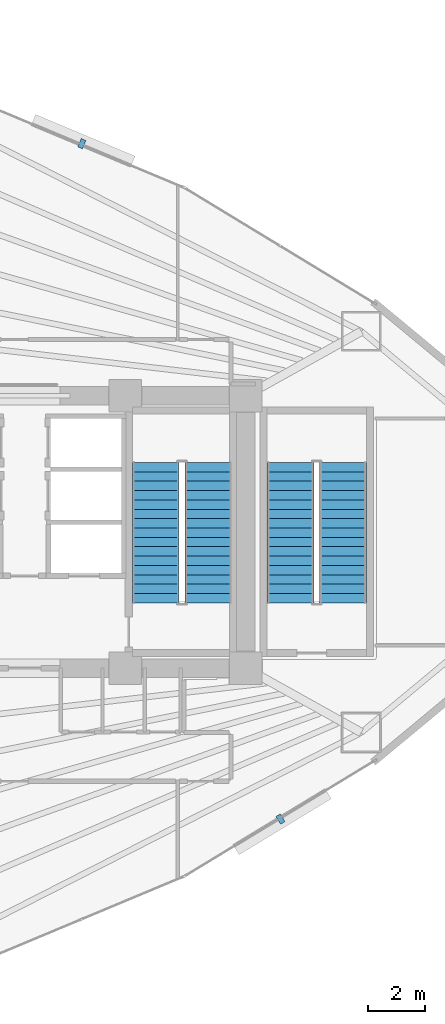
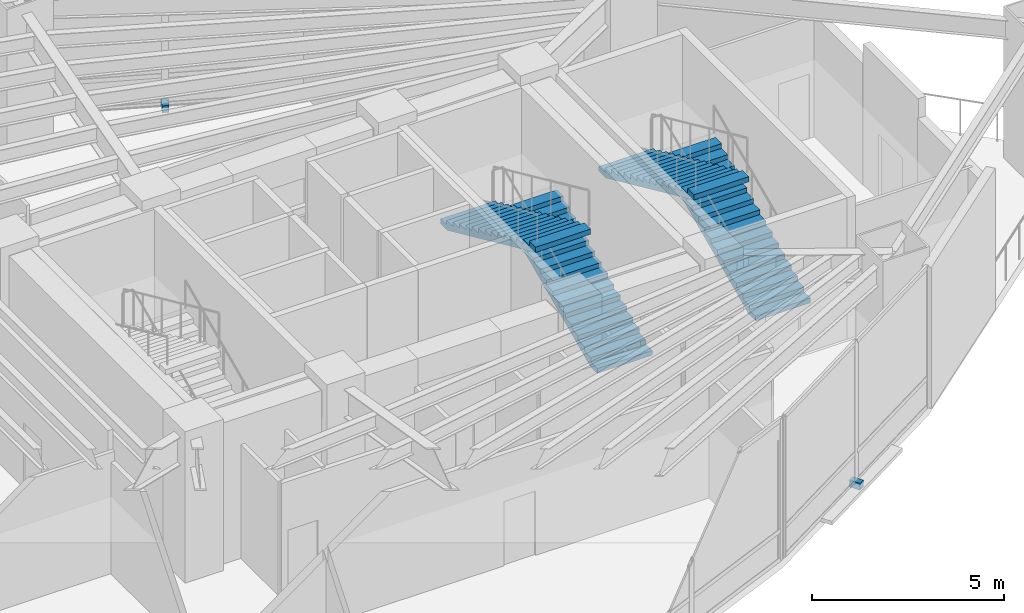
# One storey, part 16 of 18: 4 stair flights, 2 discrete accessories, 2 elements without a shape of their own.
"""IFC4 building model written with IfcOpenShell, lengths in metres."""

import ifcopenshell
import ifcopenshell.guid

model = None  # the IFC model being written
_history = None  # IfcOwnerHistory: only IFC2X3 demands one
_inside = {}  # id of a spatial element -> (the spatial element, [elements in it])
_under = {}  # id of a project, library or spatial element -> (it, [spatial elements below it])
_declared = {}  # id of a project -> (the project, [libraries it declares])
_typed = {}  # id of a type object -> (the type object, [elements of that type])
_made_of = {}  # id of a material, layer set ... -> (it, [elements and type objects made of it])


def new_model(schema):
    """Start an empty IFC model of exactly this schema.

    Asked for "IFC4X3", IfcOpenShell would pick the latest addendum, in which some entities
    have other attributes; the version numbers below select the first issue.
    IFC2X3 requires an IfcOwnerHistory on every rooted entity: one is made here for all.
    """
    global model, _history
    if schema == "IFC4X3":
        model = ifcopenshell.file(schema_version=(4, 3, 0, 0))
    else:
        model = ifcopenshell.file(schema=schema)
    _inside.clear()
    _under.clear()
    _declared.clear()
    _typed.clear()
    _made_of.clear()
    _history = None
    if model.schema == "IFC2X3":
        org = make("IfcOrganization", Name="unknown")
        user = make(
            "IfcPersonAndOrganization",
            ThePerson=make("IfcPerson", FamilyName="unknown"),
            TheOrganization=org,
        )
        app = make(
            "IfcApplication",
            ApplicationDeveloper=org,
            Version="unknown",
            ApplicationFullName="unknown",
            ApplicationIdentifier="unknown",
        )
        _history = make(
            "IfcOwnerHistory",
            OwningUser=user,
            OwningApplication=app,
            ChangeAction="ADDED",
            CreationDate=0,
        )
    return model


def make(cls, **values):
    """One entity of the class cls with the attributes given. An attribute that is None is left unset."""
    return model.create_entity(
        cls, **{name: value for name, value in values.items() if value is not None}
    )


def rooted(cls, **values):
    """An entity with a GlobalId (a new one), such as an element, a storey or a relation."""
    return make(cls, GlobalId=ifcopenshell.guid.new(), OwnerHistory=_history, **values)


def si_unit(unit_type, name, prefix=None):
    """IfcSIUnit, for example si_unit("LENGTHUNIT", "METRE", prefix="MILLI")."""
    return make("IfcSIUnit", UnitType=unit_type, Prefix=prefix, Name=name)


def assignment(units):
    """IfcUnitAssignment: the units of a project."""
    return None if units is None else make("IfcUnitAssignment", Units=units)


def point(xyz):
    """IfcCartesianPoint."""
    return None if xyz is None else make("IfcCartesianPoint", Coordinates=xyz)


def direction(xyz):
    """IfcDirection."""
    return None if xyz is None else make("IfcDirection", DirectionRatios=xyz)


def frame(location, z_axis=None, x_axis=None):
    """IfcAxis2Placement3D, a coordinate frame: its origin and axes. An axis left out is left unset."""
    return make(
        "IfcAxis2Placement3D",
        Location=point(location),
        Axis=direction(z_axis),
        RefDirection=direction(x_axis),
    )


def frame_2d(location, x_axis=None):
    """IfcAxis2Placement2D, a coordinate frame in the plane: its origin and x axis."""
    return make(
        "IfcAxis2Placement2D", Location=point(location), RefDirection=direction(x_axis)
    )


def origin():
    """The frame at (0, 0, 0) with its axes left unset."""
    return frame((0.0, 0.0, 0.0))


def origin_2d():
    """The frame at (0, 0) in the plane with its x axis left unset."""
    return frame_2d((0.0, 0.0))


def place(relative_to, where):
    """IfcLocalPlacement: puts the frame where relative to a parent placement (None: the world)."""
    return make(
        "IfcLocalPlacement", PlacementRelTo=relative_to, RelativePlacement=where
    )


def context(
    kind, dimensions, precision=None, world=None, true_north=None, identifier=None
):
    """IfcGeometricRepresentationContext, for example the 3D "Model" context."""
    return make(
        "IfcGeometricRepresentationContext",
        ContextIdentifier=identifier,
        ContextType=kind,
        CoordinateSpaceDimension=dimensions,
        Precision=precision,
        WorldCoordinateSystem=world,
        TrueNorth=true_north,
    )


def subcontext(parent, identifier, kind, view, scale=None):
    """IfcGeometricRepresentationSubContext, for example "Body" below "Model"."""
    return make(
        "IfcGeometricRepresentationSubContext",
        ContextIdentifier=identifier,
        ContextType=kind,
        ParentContext=parent,
        TargetScale=scale,
        TargetView=view,
    )


def project(units=None, contexts=None):
    """IfcProject with its units and contexts."""
    return rooted(
        "IfcProject",
        Name="project",
        RepresentationContexts=contexts,
        UnitsInContext=assignment(units),
    )


def spatial(cls, under=None, at=None, **own):
    """A site, building, storey or space (cls), placed at a placement, below another one or the project."""
    s = rooted(cls, ObjectPlacement=at, **own)
    if under is not None:
        _under.setdefault(under.id(), (under, []))[1].append(s)
    return s


def polyline(points):
    """IfcPolyline through the points."""
    return make("IfcPolyline", Points=[point(p) for p in points])


def profile(cls, at=None, kind="AREA", **sizes):
    """A parametric profile (cls). Its sizes go by their IFC names, for example OverallWidth=200.0."""
    return make(cls, ProfileType=kind, Position=at, **sizes)


def rectangle(**sizes):
    """IfcRectangleProfileDef."""
    return profile("IfcRectangleProfileDef", **sizes)


def outline(outer, holes=None, kind="AREA"):
    """IfcArbitraryClosedProfileDef: a profile drawn as a closed curve; with holes, ...WithVoids."""
    if holes is None:
        return make("IfcArbitraryClosedProfileDef", ProfileType=kind, OuterCurve=outer)
    return make(
        "IfcArbitraryProfileDefWithVoids",
        ProfileType=kind,
        OuterCurve=outer,
        InnerCurves=holes,
    )


def extrude(swept, where, along, depth):
    """IfcExtrudedAreaSolid: the profile swept, set in the frame where, extruded along a direction by depth."""
    return make(
        "IfcExtrudedAreaSolid",
        SweptArea=swept,
        Position=where,
        ExtrudedDirection=direction(along),
        Depth=depth,
    )


def shape(context_of_items, identifier, shape_type, items):
    """IfcShapeRepresentation: the items that make up one representation, for example the "Body"."""
    return make(
        "IfcShapeRepresentation",
        ContextOfItems=context_of_items,
        RepresentationIdentifier=identifier,
        RepresentationType=shape_type,
        Items=items,
    )


def material(Name=None, Category=None):
    """IfcMaterial."""
    return make("IfcMaterial", Name=Name, Category=Category)


def made_of(thing, what):
    """Note that an element or type object is made of a material, layer set ...; save() writes the relation."""
    if what is not None:
        _made_of.setdefault(what.id(), (what, []))[1].append(thing)
    return thing


def type_object(cls, material=None, **own):
    """A type object (cls), such as IfcWallType, which elements share."""
    return made_of(rooted(cls, **own), material)


def element(
    cls,
    number,
    at=None,
    inside=None,
    cuts=None,
    type_object=None,
    material=None,
    context=None,
    identifier="Body",
    shape_type=None,
    held_by="IfcProductDefinitionShape",
    body=None,
    shapes=None,
    **own,
):
    """One element of the class cls, such as IfcWall. Its Tag is "e" and its number.

    at: its placement. inside: the storey or other place that contains it. cuts: it is an
    opening in that element (IfcRelVoidsElement). A single representation is given by context,
    identifier, shape_type and body (its items); several are given by shapes. held_by: the class
    of the entity that holds the representations. save() writes the other relations.
    """
    e = rooted(cls, Tag="e%d" % number, ObjectPlacement=at, **own)
    if body is not None:
        shapes = [shape(context, identifier, shape_type, body)]
    if shapes is not None:
        e.Representation = make(held_by, Representations=shapes)
    if inside is not None:
        _inside.setdefault(inside.id(), (inside, []))[1].append(e)
    if cuts is not None:
        rooted(
            "IfcRelVoidsElement", RelatingBuildingElement=cuts, RelatedOpeningElement=e
        )
    if type_object is not None:
        _typed.setdefault(type_object.id(), (type_object, []))[1].append(e)
    return made_of(e, material)


def aggregate(whole, parts):
    """IfcRelAggregates: a whole, such as a stair, and the parts it consists of."""
    return rooted("IfcRelAggregates", RelatingObject=whole, RelatedObjects=parts)


def save(model, path):
    """Write the relations noted so far, then the file.

    IfcRelAggregates (storeys below a building ...), IfcRelContainedInSpatialStructure (elements
    in a storey), IfcRelDefinesByType, IfcRelAssociatesMaterial and IfcRelDeclares: one each for
    every whole, place, type object, material and project.
    """
    for whole, parts in _under.values():
        aggregate(whole, parts)
    for where, things in _inside.values():
        rooted(
            "IfcRelContainedInSpatialStructure",
            RelatedElements=things,
            RelatingStructure=where,
        )
    for kind, things in _typed.values():
        rooted("IfcRelDefinesByType", RelatedObjects=things, RelatingType=kind)
    for what, things in _made_of.values():
        rooted("IfcRelAssociatesMaterial", RelatedObjects=things, RelatingMaterial=what)
    for by, libraries in _declared.values():
        rooted("IfcRelDeclares", RelatingContext=by, RelatedDefinitions=libraries)
    model.write(path)


model = new_model("IFC4")

# Units and contexts
model_context = context("Model", 3, precision=1e-05, world=origin(), true_north=direction((0.0, 1.0)))
body_context = subcontext(model_context, "Body", "Model", "MODEL_VIEW")
ifc_project = project(units=[si_unit("LENGTHUNIT", "METRE"), si_unit("AREAUNIT", "SQUARE_METRE"), si_unit("VOLUMEUNIT", "CUBIC_METRE"), si_unit("PLANEANGLEUNIT", "RADIAN"), si_unit("MASSUNIT", "GRAM", prefix="KILO")], contexts=[model_context])

# Site, building, storey
site_placement = place(None, origin())
site = spatial("IfcSite", under=ifc_project, at=site_placement, CompositionType="ELEMENT")
building_placement = place(site_placement, origin())
building = spatial("IfcBuilding", under=site, at=building_placement, Name="Menara Vayukalpa", CompositionType="ELEMENT")
storey_placement = place(building_placement, frame((0.0, 0.0, 18.0)))
storey = spatial("IfcBuildingStorey", under=building, at=storey_placement, Name="L03", CompositionType="ELEMENT", Elevation=18.0)

# Stair, stair flights
ifc_material_1 = material(Name="Precast Concrete C40/50", Category="concrete")
stair_type = type_object("IfcStairType", Name="STR-T01", PredefinedType="DOUBLE_RETURN_STAIR", material=ifc_material_1)
stair_1_placement = place(storey_placement, origin())
stair_1 = element("IfcStair", 1, at=stair_1_placement, inside=storey, type_object=stair_type, Name="L03 Core Exit Stair ST-2", PredefinedType="DOUBLE_RETURN_STAIR")
ifc_material_2 = material(Name="Precast Concrete C40/50", Category="concrete")
stair_flight_type = type_object("IfcStairFlightType", Name="STF-T01", PredefinedType="STRAIGHT", material=ifc_material_2)
stair_flight_1_placement = place(storey_placement, frame((32.074951171875, 19.5, 0.0), z_axis=(0.0, 0.0, 1.0), x_axis=(0.0, 1.0, 0.0)))
stair_flight_1 = element("IfcStairFlight", 2, at=stair_flight_1_placement, type_object=stair_flight_type, Name="ST-2 flight 1", NumberOfRisers=16, NumberOfTreads=15, PredefinedType="STRAIGHT", RiserHeight=0.15, TreadLength=0.33, context=body_context, shape_type="SweptSolid", body=[
    extrude(outline(polyline([(0.0, 0.0), (0.0, 0.14990234375), (0.330078125, 0.14990234375), (0.330078125, 0.300048828125), (0.659912109375, 0.300048828125), (0.659912109375, 0.449951171875), (0.989990234375, 0.449951171875), (0.989990234375, 0.60009765625), (1.320068359375, 0.60009765625), (1.320068359375, 0.75), (1.64990234375, 0.75), (1.64990234375, 0.89990234375), (1.97998046875, 0.89990234375), (1.97998046875, 1.050048828125), (2.31005859375, 1.050048828125), (2.31005859375, 1.199951171875), (2.639892578125, 1.199951171875), (2.639892578125, 1.35009765625), (2.969970703125, 1.35009765625), (2.969970703125, 1.5), (3.300048828125, 1.5), (3.300048828125, 1.64990234375), (3.6298828125, 1.64990234375), (3.6298828125, 1.800048828125), (3.9599609375, 1.800048828125), (3.9599609375, 1.949951171875), (4.2900390625, 1.949951171875), (4.2900390625, 2.10009765625), (4.6201171875, 2.10009765625), (4.6201171875, 2.25), (4.949951171875, 2.25), (4.949951171875, 2.39990234375), (4.949951171875, 2.08544921875), (0.3623046875, 0.0), (0.0, 0.0)])), frame((0.0, 0.824951171875, 0.0), z_axis=(0.0, -1.0, 0.0), x_axis=(1.0, 0.0, 0.0)), (0.0, 0.0, 1.0), 1.64990234375),
])
stair_flight_2_placement = place(storey_placement, frame((30.22509765625, 24.449951171875, 2.39990234375), z_axis=(0.0, 0.0, 1.0), x_axis=(0.0, -1.0, 0.0)))
stair_flight_2 = element("IfcStairFlight", 3, at=stair_flight_2_placement, type_object=stair_flight_type, Name="ST-2 flight 2", NumberOfRisers=16, NumberOfTreads=15, PredefinedType="STRAIGHT", RiserHeight=0.15, TreadLength=0.33, context=body_context, shape_type="SweptSolid", body=[
    extrude(outline(polyline([(0.0, 0.0), (0.0, 0.14990234375), (0.330078125, 0.14990234375), (0.330078125, 0.300048828125), (0.659912109375, 0.300048828125), (0.659912109375, 0.449951171875), (0.989990234375, 0.449951171875), (0.989990234375, 0.60009765625), (1.320068359375, 0.60009765625), (1.320068359375, 0.75), (1.64990234375, 0.75), (1.64990234375, 0.89990234375), (1.97998046875, 0.89990234375), (1.97998046875, 1.050048828125), (2.31005859375, 1.050048828125), (2.31005859375, 1.199951171875), (2.639892578125, 1.199951171875), (2.639892578125, 1.35009765625), (2.969970703125, 1.35009765625), (2.969970703125, 1.5), (3.300048828125, 1.5), (3.300048828125, 1.64990234375), (3.6298828125, 1.64990234375), (3.6298828125, 1.800048828125), (3.9599609375, 1.800048828125), (3.9599609375, 1.949951171875), (4.2900390625, 1.949951171875), (4.2900390625, 2.10009765625), (4.6201171875, 2.10009765625), (4.6201171875, 2.25), (4.949951171875, 2.25), (4.949951171875, 2.39990234375), (4.949951171875, 2.08544921875), (0.3623046875, 0.0), (0.0, 0.0)])), frame((0.0, 0.824951171875, 0.0), z_axis=(0.0, -1.0, 0.0), x_axis=(1.0, 0.0, 0.0)), (0.0, 0.0, 1.0), 1.64990234375),
])
aggregate(stair_1, [stair_flight_1, stair_flight_2])

stair_2_placement = place(storey_placement, origin())
stair_2 = element("IfcStair", 4, at=stair_2_placement, inside=storey, type_object=stair_type, Name="L03 Podium Exit Stair ST-3", PredefinedType="DOUBLE_RETURN_STAIR")
stair_flight_3_placement = place(storey_placement, frame((36.824951171875, 19.5, 0.0), z_axis=(0.0, 0.0, 1.0), x_axis=(0.0, 1.0, 0.0)))
stair_flight_3 = element("IfcStairFlight", 5, at=stair_flight_3_placement, type_object=stair_flight_type, Name="ST-3 flight 1", NumberOfRisers=16, NumberOfTreads=15, PredefinedType="STRAIGHT", RiserHeight=0.15, TreadLength=0.33, context=body_context, shape_type="SweptSolid", body=[
    extrude(outline(polyline([(0.0, 0.0), (0.0, 0.14990234375), (0.330078125, 0.14990234375), (0.330078125, 0.300048828125), (0.659912109375, 0.300048828125), (0.659912109375, 0.449951171875), (0.989990234375, 0.449951171875), (0.989990234375, 0.60009765625), (1.320068359375, 0.60009765625), (1.320068359375, 0.75), (1.64990234375, 0.75), (1.64990234375, 0.89990234375), (1.97998046875, 0.89990234375), (1.97998046875, 1.050048828125), (2.31005859375, 1.050048828125), (2.31005859375, 1.199951171875), (2.639892578125, 1.199951171875), (2.639892578125, 1.35009765625), (2.969970703125, 1.35009765625), (2.969970703125, 1.5), (3.300048828125, 1.5), (3.300048828125, 1.64990234375), (3.6298828125, 1.64990234375), (3.6298828125, 1.800048828125), (3.9599609375, 1.800048828125), (3.9599609375, 1.949951171875), (4.2900390625, 1.949951171875), (4.2900390625, 2.10009765625), (4.6201171875, 2.10009765625), (4.6201171875, 2.25), (4.949951171875, 2.25), (4.949951171875, 2.39990234375), (4.949951171875, 2.08544921875), (0.3623046875, 0.0), (0.0, 0.0)])), frame((0.0, 0.824951171875, 0.0), z_axis=(0.0, -1.0, 0.0), x_axis=(1.0, 0.0, 0.0)), (0.0, 0.0, 1.0), 1.64990234375),
])
stair_flight_4_placement = place(storey_placement, frame((34.97509765625, 24.449951171875, 2.39990234375), z_axis=(0.0, 0.0, 1.0), x_axis=(0.0, -1.0, 0.0)))
stair_flight_4 = element("IfcStairFlight", 6, at=stair_flight_4_placement, type_object=stair_flight_type, Name="ST-3 flight 2", NumberOfRisers=16, NumberOfTreads=15, PredefinedType="STRAIGHT", RiserHeight=0.15, TreadLength=0.33, context=body_context, shape_type="SweptSolid", body=[
    extrude(outline(polyline([(0.0, 0.0), (0.0, 0.14990234375), (0.330078125, 0.14990234375), (0.330078125, 0.300048828125), (0.659912109375, 0.300048828125), (0.659912109375, 0.449951171875), (0.989990234375, 0.449951171875), (0.989990234375, 0.60009765625), (1.320068359375, 0.60009765625), (1.320068359375, 0.75), (1.64990234375, 0.75), (1.64990234375, 0.89990234375), (1.97998046875, 0.89990234375), (1.97998046875, 1.050048828125), (2.31005859375, 1.050048828125), (2.31005859375, 1.199951171875), (2.639892578125, 1.199951171875), (2.639892578125, 1.35009765625), (2.969970703125, 1.35009765625), (2.969970703125, 1.5), (3.300048828125, 1.5), (3.300048828125, 1.64990234375), (3.6298828125, 1.64990234375), (3.6298828125, 1.800048828125), (3.9599609375, 1.800048828125), (3.9599609375, 1.949951171875), (4.2900390625, 1.949951171875), (4.2900390625, 2.10009765625), (4.6201171875, 2.10009765625), (4.6201171875, 2.25), (4.949951171875, 2.25), (4.949951171875, 2.39990234375), (4.949951171875, 2.08544921875), (0.3623046875, 0.0), (0.0, 0.0)])), frame((0.0, 0.824951171875, 0.0), z_axis=(0.0, -1.0, 0.0), x_axis=(1.0, 0.0, 0.0)), (0.0, 0.0, 1.0), 1.64990234375),
])
aggregate(stair_2, [stair_flight_3, stair_flight_4])

# Discrete accessories
ifc_material_3 = material(Name="Stainless Steel 316 Sunshade Bracket", Category="steel")
discrete_accessory_type = type_object("IfcDiscreteAccessoryType", Name="ACC-BRK1", PredefinedType="BRACKET", material=ifc_material_3)
for number, where, z_axis, x_axis, name in (
    (7, (27.61962890625, 35.68798828125, -0.16015625), (0.0, 0.0, 1.0), (-0.922544824647, 0.385889940938, 0.0), "L03 Terracotta Sunshade Bracket 05"),
    (8, (34.622802734375, 11.878662109375, -0.16015625), (0.0, 0.0, 1.0), (0.85466730962, 0.519176068272, 0.0), "L03 Terracotta Sunshade Bracket 17"),
):
    element("IfcDiscreteAccessory", number, at=place(storey_placement, frame(where, z_axis=z_axis, x_axis=x_axis)), inside=storey, type_object=discrete_accessory_type, Name=name, PredefinedType="BRACKET", context=body_context, shape_type="SweptSolid", body=[
        extrude(rectangle(XDim=0.179931640625, YDim=0.320068359375, at=origin_2d()), origin(), (0.0, 0.0, 1.0), 0.219970703125),
    ])

save(model, "model.ifc")
